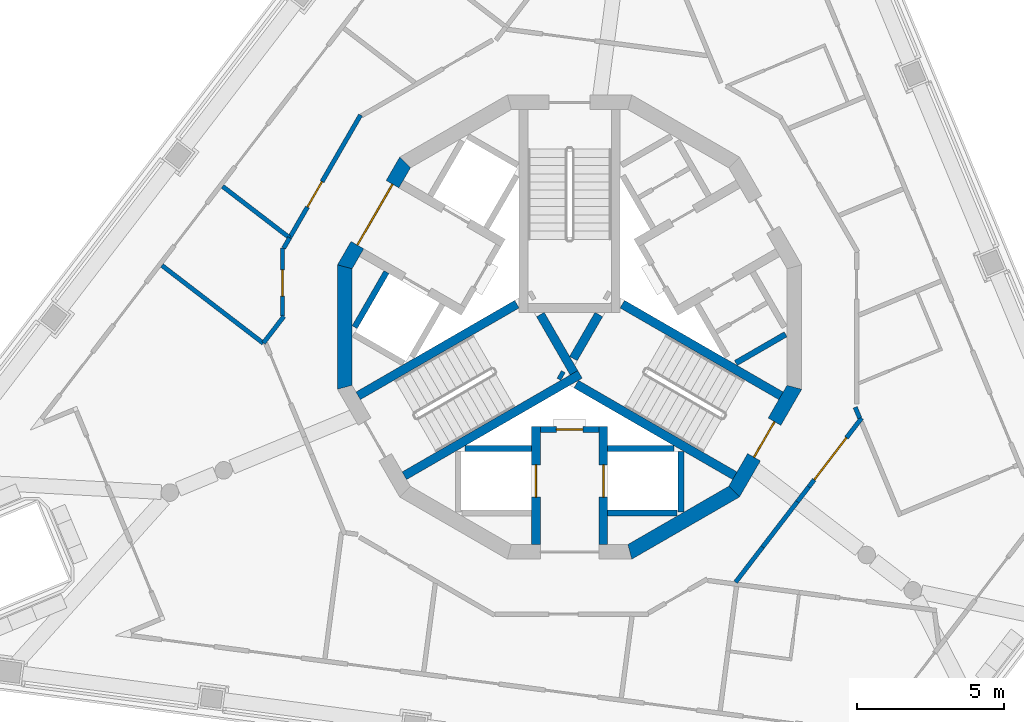
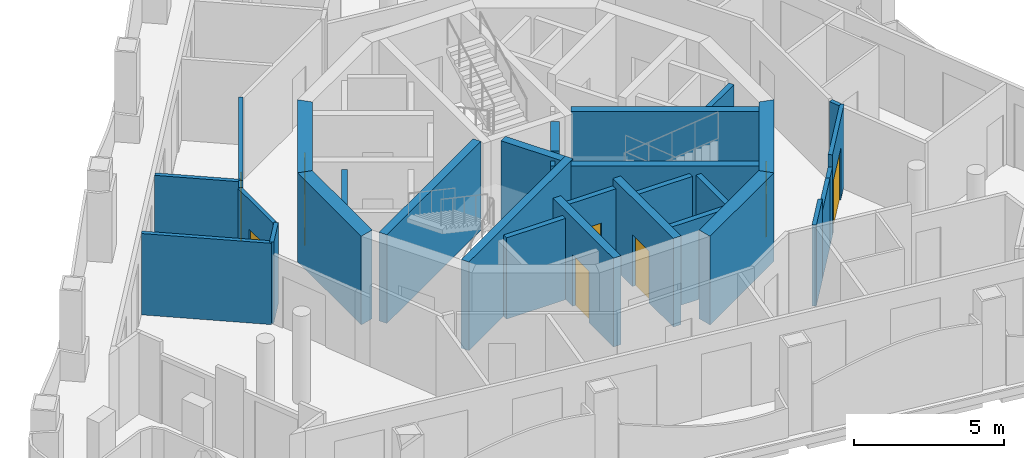
# One storey, part 3 of 13: 31 walls, 8 doors, 8 openings.
"""IFC4 building model written with IfcOpenShell, lengths in metres."""

from ifc_helpers import new_model, si_unit, direction, frame, frame_2d, origin, place, context, subcontext, project, spatial, polyline, rectangle, outline, extrude, material, layer, layer_set, type_object, element, fill, save


model = new_model("IFC4")

# Units and contexts
model_context = context("Model", 3, precision=1e-05, world=origin(), true_north=direction((0.0, 1.0)))
body_context = subcontext(model_context, "Body", "Model", "MODEL_VIEW")
ifc_project = project(units=[si_unit("LENGTHUNIT", "METRE"), si_unit("AREAUNIT", "SQUARE_METRE"), si_unit("VOLUMEUNIT", "CUBIC_METRE"), si_unit("PLANEANGLEUNIT", "RADIAN"), si_unit("MASSUNIT", "GRAM", prefix="KILO")], contexts=[model_context])

# Site, building, storey
site_placement = place(None, origin())
site = spatial("IfcSite", under=ifc_project, at=site_placement, CompositionType="ELEMENT")
building_placement = place(site_placement, origin())
building = spatial("IfcBuilding", under=site, at=building_placement, Name="Trine Commons Tower", CompositionType="ELEMENT")
storey_placement = place(building_placement, frame((0.0, 0.0, 286.199951171875)))
storey = spatial("IfcBuildingStorey", under=building, at=storey_placement, Name="L75", CompositionType="ELEMENT", Elevation=286.199951171875)

# Wall, opening, door
ifc_material_1 = material(Name="Fire-rated gypsum shaft wall system")
ifc_layer_1 = layer(ifc_material_1, 0.199951171875)
ifc_layer_set_1 = layer_set([ifc_layer_1], Name="Fire-rated gypsum shaft wall system")
wall_type_1 = type_object("IfcWallType", Name="Lobby end wall 200 mm, EI 120", PredefinedType="PARTITIONING", material=ifc_layer_set_1)
wall_1_placement = place(storey_placement, frame((79.0, 59.0, 0.0), z_axis=(0.0, 0.0, 1.0), x_axis=(1.0, 0.0, 0.0)))
wall_1 = element("IfcWall", 1, at=wall_1_placement, inside=storey, type_object=wall_type_1, Name="Lobby end wall L75", PredefinedType="PARTITIONING", context=body_context, shape_type="SweptSolid", body=[
    extrude(rectangle(XDim=2.0, YDim=0.199951171875, at=frame_2d((1.0, 0.0))), origin(), (0.0, 0.0, 1.0), 3.300048828125),
])
opening_1_placement = place(wall_1_placement, frame((0.550048828125, 0.0, 0.0)))
opening_1 = element("IfcOpeningElement", 2, at=opening_1_placement, cuts=wall_1, Name="Opening K19.09", PredefinedType="OPENING", context=body_context, shape_type="SweptSolid", body=[
    extrude(rectangle(XDim=0.89990234375, YDim=2.10009765625, at=frame_2d((0.449951171875, 1.050048828125))), frame((0.0, 0.10986328125, 0.0), z_axis=(0.0, -1.0, 0.0), x_axis=(1.0, 0.0, 0.0)), (0.0, 0.0, 1.0), 0.219970703125),
])
ifc_material_2 = material(Name="Steel door leaf, fire-rated", Category="steel")
door_type_1 = type_object("IfcDoorType", Name="Riser access door, single leaf 900 x 2100, FD60", OperationType="SINGLE_SWING_LEFT", PredefinedType="DOOR", material=ifc_material_2)
door_1_placement = place(opening_1_placement, frame((0.89990234375, 0.0, 0.0), z_axis=(0.0, 0.0, 1.0), x_axis=(-1.0, 0.0, 0.0)))
door_1 = element("IfcDoor", 3, at=door_1_placement, inside=storey, type_object=door_type_1, Name="Riser door, Communications riser L75", OperationType="SINGLE_SWING_RIGHT", OverallHeight=2.10009765625, OverallWidth=0.89990234375, PredefinedType="DOOR", context=body_context, shape_type="SweptSolid", body=[
    extrude(rectangle(XDim=0.89990234375, YDim=2.10009765625, at=frame_2d((0.449951171875, 1.050048828125))), frame((0.0, 0.02490234375, 0.0), z_axis=(0.0, -1.0, 0.0), x_axis=(1.0, 0.0, 0.0)), (0.0, 0.0, 1.0), 0.050048828125),
])
fill(opening_1, door_1)

ifc_material_3 = material(Name="Concrete C50/60", Category="concrete")
ifc_layer_2 = layer(ifc_material_3, 0.300048828125)
ifc_layer_set_2 = layer_set([ifc_layer_2], Name="Concrete C50/60")
wall_type_2 = type_object("IfcWallType", Name="RC shear wall 300 mm, C50/60", PredefinedType="SHEAR", material=ifc_layer_set_2)
wall_2_placement = place(storey_placement, frame((78.85009765625, 59.10009765625, 0.0), z_axis=(0.0, 0.0, 1.0), x_axis=(0.0, -1.0, 0.0)))
wall_2 = element("IfcWall", 4, at=wall_2_placement, inside=storey, type_object=wall_type_2, Name="Core cross wall SWD-03 L75", PredefinedType="SHEAR", context=body_context, shape_type="SweptSolid", body=[
    extrude(rectangle(XDim=4.02099609375, YDim=0.300048828125, at=frame_2d((2.010498046875, 0.0))), origin(), (0.0, 0.0, 1.0), 3.60009765625),
])
opening_2_placement = place(wall_2_placement, frame((1.300048828125, 0.0, 0.0)))
opening_2 = element("IfcOpeningElement", 5, at=opening_2_placement, cuts=wall_2, Name="Opening LD10", PredefinedType="OPENING", context=body_context, shape_type="SweptSolid", body=[
    extrude(rectangle(XDim=1.10009765625, YDim=2.10009765625, at=frame_2d((0.550048828125, 1.050048828125))), frame((0.0, 0.159912109375, 0.0), z_axis=(0.0, -1.0, 0.0), x_axis=(1.0, 0.0, 0.0)), (0.0, 0.0, 1.0), 0.320068359375),
])
ifc_material_4 = material(Name="Stainless steel sliding door leaves", Category="steel")
door_type_2 = type_object("IfcDoorType", Name="Lift landing door, centre-opening sliding 1100 x 2100, FD90", OperationType="DOUBLE_DOOR_SLIDING", PredefinedType="DOOR", material=ifc_material_4)
door_2_placement = place(opening_2_placement, origin())
door_2 = element("IfcDoor", 6, at=door_2_placement, inside=storey, type_object=door_type_2, Name="Lift landing door FF2 L75", OperationType="DOUBLE_DOOR_SLIDING", OverallHeight=2.10009765625, OverallWidth=1.10009765625, PredefinedType="DOOR", context=body_context, shape_type="SweptSolid", body=[
    extrude(rectangle(XDim=1.10009765625, YDim=2.10009765625, at=frame_2d((0.550048828125, 1.050048828125))), frame((0.0, 0.02490234375, 0.0), z_axis=(0.0, -1.0, 0.0), x_axis=(1.0, 0.0, 0.0)), (0.0, 0.0, 1.0), 0.050048828125),
])
fill(opening_2, door_2)

wall_3_placement = place(storey_placement, frame((81.14990234375, 59.10009765625, 0.0), z_axis=(0.0, 0.0, 1.0), x_axis=(0.0, -1.0, 0.0)))
wall_3 = element("IfcWall", 7, at=wall_3_placement, inside=storey, type_object=wall_type_2, Name="Core cross wall SWD-04 L75", PredefinedType="SHEAR", context=body_context, shape_type="SweptSolid", body=[
    extrude(rectangle(XDim=4.02099609375, YDim=0.300048828125, at=frame_2d((2.010498046875, 0.0))), origin(), (0.0, 0.0, 1.0), 3.60009765625),
])
opening_3_placement = place(wall_3_placement, frame((1.300048828125, 0.0, 0.0)))
opening_3 = element("IfcOpeningElement", 8, at=opening_3_placement, cuts=wall_3, Name="Opening LD9", PredefinedType="OPENING", context=body_context, shape_type="SweptSolid", body=[
    extrude(rectangle(XDim=1.10009765625, YDim=2.10009765625, at=frame_2d((0.550048828125, 1.050048828125))), frame((0.0, 0.159912109375, 0.0), z_axis=(0.0, -1.0, 0.0), x_axis=(1.0, 0.0, 0.0)), (0.0, 0.0, 1.0), 0.320068359375),
])
door_3_placement = place(opening_3_placement, origin())
door_3 = element("IfcDoor", 9, at=door_3_placement, inside=storey, type_object=door_type_2, Name="Lift landing door FF1 L75", OperationType="DOUBLE_DOOR_SLIDING", OverallHeight=2.10009765625, OverallWidth=1.10009765625, PredefinedType="DOOR", context=body_context, shape_type="SweptSolid", body=[
    extrude(rectangle(XDim=1.10009765625, YDim=2.10009765625, at=frame_2d((0.550048828125, 1.050048828125))), frame((0.0, 0.02490234375, 0.0), z_axis=(0.0, -1.0, 0.0), x_axis=(1.0, 0.0, 0.0)), (0.0, 0.0, 1.0), 0.050048828125),
])
fill(opening_3, door_3)

# Walls
wall_4_placement = place(storey_placement, frame((78.199951171875, 63.280029296875, 0.0), z_axis=(0.0, 0.0, 1.0), x_axis=(-0.866013897511, -0.50001992892, 0.0)))
element("IfcWall", 10, at=wall_4_placement, inside=storey, type_object=wall_type_2, Name="Core cross wall SWD-07 L75", PredefinedType="SHEAR", context=body_context, shape_type="SweptSolid", body=[
    extrude(rectangle(XDim=6.251708984375, YDim=0.300048828125, at=frame_2d((3.1259765625, 0.0))), origin(), (0.0, 0.0, 1.0), 3.60009765625),
])
wall_5_placement = place(storey_placement, frame((79.0029296875, 62.926025390625, 0.0), z_axis=(0.0, 0.0, 1.0), x_axis=(0.499965247104, -0.866045467449, 0.0)))
element("IfcWall", 11, at=wall_5_placement, inside=storey, type_object=wall_type_2, Name="Core cross wall SWD-10 L75", PredefinedType="SHEAR", context=body_context, shape_type="SweptSolid", body=[
    extrude(rectangle(XDim=2.292236328125, YDim=0.300048828125, at=frame_2d((1.14599609375, 0.0))), origin(), (0.0, 0.0, 1.0), 3.60009765625),
])
wall_6_placement = place(storey_placement, frame((79.64599609375, 60.885986328125, 0.0), z_axis=(0.0, 0.0, 1.0), x_axis=(0.867331893649, -0.497730234424, 0.0)))
element("IfcWall", 12, at=wall_6_placement, inside=storey, type_object=wall_type_2, Name="Core cross wall SWD-11 L75", PredefinedType="SHEAR", context=body_context, shape_type="SweptSolid", body=[
    extrude(rectangle(XDim=0.148681640625, YDim=0.300048828125, at=frame_2d((0.07421875, 0.0))), origin(), (0.0, 0.0, 1.0), 3.60009765625),
])
wall_7_placement = place(storey_placement, frame((80.1298828125, 61.424072265625, 0.0), z_axis=(0.0, 0.0, 1.0), x_axis=(0.500014901547, 0.866016800201, 0.0)))
element("IfcWall", 13, at=wall_7_placement, inside=storey, type_object=wall_type_2, Name="Core cross wall SWD-12 L75", PredefinedType="SHEAR", context=body_context, shape_type="SweptSolid", body=[
    extrude(rectangle(XDim=1.734375, YDim=0.300048828125, at=frame_2d((0.8671875, 0.0))), origin(), (0.0, 0.0, 1.0), 3.60009765625),
])
wall_8_placement = place(storey_placement, frame((80.22509765625, 60.552001953125, 0.0), z_axis=(0.0, 0.0, 1.0), x_axis=(0.866004133274, -0.500036839795, 0.0)))
element("IfcWall", 14, at=wall_8_placement, inside=storey, type_object=wall_type_2, Name="Core cross wall SWD-13 L75", PredefinedType="SHEAR", context=body_context, shape_type="SweptSolid", body=[
    extrude(rectangle(XDim=6.25146484375, YDim=0.300048828125, at=frame_2d((3.125732421875, 0.0))), origin(), (0.0, 0.0, 1.0), 3.60009765625),
])
wall_9_placement = place(storey_placement, frame((80.35400390625, 60.885986328125, 0.0), z_axis=(0.0, 0.0, 1.0), x_axis=(-0.86602871973, -0.49999425657, 0.0)))
element("IfcWall", 15, at=wall_9_placement, inside=storey, type_object=wall_type_2, Name="Core cross wall SWD-14 L75", PredefinedType="SHEAR", context=body_context, shape_type="SweptSolid", body=[
    extrude(rectangle(XDim=6.919921875, YDim=0.300048828125, at=frame_2d((3.4599609375, 0.0))), origin(), (0.0, 0.0, 1.0), 3.60009765625),
])
wall_10_placement = place(storey_placement, frame((81.800048828125, 63.280029296875, 0.0), z_axis=(0.0, 0.0, 1.0), x_axis=(0.866013897511, -0.50001992892, 0.0)))
element("IfcWall", 16, at=wall_10_placement, inside=storey, type_object=wall_type_2, Name="Core cross wall SWD-18 L75", PredefinedType="SHEAR", context=body_context, shape_type="SweptSolid", body=[
    extrude(rectangle(XDim=6.251708984375, YDim=0.300048828125, at=frame_2d((3.1259765625, 0.0))), origin(), (0.0, 0.0, 1.0), 3.60009765625),
])

# Wall, opening, door
ifc_layer_3 = layer(ifc_material_3, 0.5)
ifc_layer_set_3 = layer_set([ifc_layer_3], Name="Concrete C50/60")
wall_type_3 = type_object("IfcWallType", Name="RC shear wall 500 mm, C50/60", PredefinedType="SHEAR", material=ifc_layer_set_3)
wall_11_placement = place(storey_placement, frame((74.418212890625, 68.17333984375, 0.0), z_axis=(0.0, 0.0, 1.0), x_axis=(-0.499992968425, -0.866029463428, 0.0)))
wall_11 = element("IfcWall", 17, at=wall_11_placement, inside=storey, type_object=wall_type_3, Name="Core wall CWH-06 L75", PredefinedType="SHEAR", context=body_context, shape_type="SweptSolid", body=[
    extrude(outline(polyline([(0.0, -0.25), (4.24462890625, -0.25), (4.110595703125, 0.25), (0.134033203125, 0.25), (0.0, -0.25)])), origin(), (0.0, 0.0, 1.0), 3.60009765625),
])
opening_4_placement = place(wall_11_placement, frame((0.92236328125, 0.0, 0.0)))
opening_4 = element("IfcOpeningElement", 18, at=opening_4_placement, cuts=wall_11, Name="Opening K19.06", PredefinedType="OPENING", context=body_context, shape_type="SweptSolid", body=[
    extrude(rectangle(XDim=2.39990234375, YDim=2.10009765625, at=frame_2d((1.199951171875, 1.050048828125))), frame((0.0, 0.260009765625, 0.0), z_axis=(0.0, -1.0, 0.0), x_axis=(1.0, 0.0, 0.0)), (0.0, 0.0, 1.0), 0.52001953125),
])
ifc_material_5 = material(Name="Steel door leaves, fire-rated", Category="steel")
door_type_3 = type_object("IfcDoorType", Name="Lobby door, double leaf 2400 x 2100, FD60", OperationType="DOUBLE_DOOR_SINGLE_SWING", PredefinedType="DOOR", material=ifc_material_5)
door_4_placement = place(opening_4_placement, origin())
door_4 = element("IfcDoor", 19, at=door_4_placement, inside=storey, type_object=door_type_3, Name="Lobby door, Passenger lift lobby B L75", OperationType="DOUBLE_DOOR_SINGLE_SWING", OverallHeight=2.10009765625, OverallWidth=2.39990234375, PredefinedType="DOOR", context=body_context, shape_type="SweptSolid", body=[
    extrude(rectangle(XDim=2.39990234375, YDim=2.10009765625, at=frame_2d((1.199951171875, 1.050048828125))), frame((0.0, 0.02490234375, 0.0), z_axis=(0.0, -1.0, 0.0), x_axis=(1.0, 0.0, 0.0)), (0.0, 0.0, 1.0), 0.050048828125),
])
fill(opening_4, door_4)

# Walls
for number, where, z_axis, x_axis, name in (
    (20, (72.329345703125, 64.622314453125, 0.0), (0.0, 0.0, 1.0), (0.0, -1.0, 0.0), "Core wall CWH-07 L75"),
    (21, (81.997314453125, 54.7958984375, 0.0), (0.0, 0.0, 1.0), (0.866029463428, 0.499992968425, 0.0), "Core wall CWH-11 L75"),
):
    element("IfcWall", number, at=place(storey_placement, frame(where, z_axis=z_axis, x_axis=x_axis)), inside=storey, type_object=wall_type_3, Name=name, PredefinedType="SHEAR", context=body_context, shape_type="SweptSolid", body=[
        extrude(outline(polyline([(0.0, -0.25), (4.24462890625, -0.25), (4.110595703125, 0.25), (0.134033203125, 0.25), (0.0, -0.25)])), origin(), (0.0, 0.0, 1.0), 3.60009765625),
    ])

# Wall, opening, door
wall_12_placement = place(storey_placement, frame((85.581787109375, 56.82666015625, 0.0), z_axis=(0.0, 0.0, 1.0), x_axis=(0.499992968425, 0.866029463428, 0.0)))
wall_12 = element("IfcWall", 22, at=wall_12_placement, inside=storey, type_object=wall_type_3, Name="Core wall CWH-12 L75", PredefinedType="SHEAR", context=body_context, shape_type="SweptSolid", body=[
    extrude(outline(polyline([(0.0, -0.25), (4.24462890625, -0.25), (4.110595703125, 0.25), (0.134033203125, 0.25), (0.0, -0.25)])), origin(), (0.0, 0.0, 1.0), 3.60009765625),
])
opening_5_placement = place(wall_12_placement, frame((1.42236328125, 0.0, 0.0)))
opening_5 = element("IfcOpeningElement", 23, at=opening_5_placement, cuts=wall_12, Name="Opening K19.03", PredefinedType="OPENING", context=body_context, shape_type="SweptSolid", body=[
    extrude(rectangle(XDim=1.39990234375, YDim=2.10009765625, at=frame_2d((0.699951171875, 1.050048828125))), frame((0.0, 0.260009765625, 0.0), z_axis=(0.0, -1.0, 0.0), x_axis=(1.0, 0.0, 0.0)), (0.0, 0.0, 1.0), 0.52001953125),
])
door_type_4 = type_object("IfcDoorType", Name="Stair door, double leaf 1400 x 2100, FD90", OperationType="DOUBLE_DOOR_SINGLE_SWING", PredefinedType="DOOR", material=ifc_material_5)
door_5_placement = place(opening_5_placement, origin())
door_5 = element("IfcDoor", 24, at=door_5_placement, inside=storey, type_object=door_type_4, Name="Stair door to Exit stair ST3D L75", OperationType="DOUBLE_DOOR_SINGLE_SWING", OverallHeight=2.10009765625, OverallWidth=1.39990234375, PredefinedType="DOOR", context=body_context, shape_type="SweptSolid", body=[
    extrude(rectangle(XDim=1.39990234375, YDim=2.10009765625, at=frame_2d((0.699951171875, 1.050048828125))), frame((0.0, 0.02490234375, 0.0), z_axis=(0.0, -1.0, 0.0), x_axis=(1.0, 0.0, 0.0)), (0.0, 0.0, 1.0), 0.050048828125),
])
fill(opening_5, door_5)

# Walls
ifc_layer_4 = layer(ifc_material_1, 0.199951171875)
ifc_layer_set_4 = layer_set([ifc_layer_4], Name="Fire-rated gypsum shaft wall system")
wall_type_4 = type_object("IfcWallType", Name="Shaft wall 200 mm, EI 120", PredefinedType="PARTITIONING", material=ifc_layer_set_4)
wall_13_placement = place(storey_placement, frame((73.7509765625, 64.3759765625, 0.0), z_axis=(0.0, 0.0, 1.0), x_axis=(-0.499865263774, -0.866103179807, 0.0)))
element("IfcWall", 25, at=wall_13_placement, inside=storey, type_object=wall_type_4, Name="Shaft wall L75", PredefinedType="PARTITIONING", context=body_context, shape_type="SweptSolid", body=[
    extrude(rectangle(XDim=2.17041015625, YDim=0.199951171875, at=frame_2d((1.085205078125, 0.0))), origin(), (0.0, 0.0, 1.0), 3.300048828125),
])
wall_14_placement = place(storey_placement, frame((78.699951171875, 58.35009765625, 0.0), z_axis=(0.0, 0.0, 1.0), x_axis=(-1.0, 0.0, 0.0)))
element("IfcWall", 26, at=wall_14_placement, inside=storey, type_object=wall_type_4, Name="Shaft wall L75", PredefinedType="PARTITIONING", context=body_context, shape_type="SweptSolid", body=[
    extrude(rectangle(XDim=2.264892578125, YDim=0.199951171875, at=frame_2d((1.13232421875, 0.0))), origin(), (0.0, 0.0, 1.0), 3.300048828125),
])
wall_15_placement = place(storey_placement, frame((81.300048828125, 56.14990234375, 0.0), z_axis=(0.0, 0.0, 1.0), x_axis=(1.0, 0.0, 0.0)))
element("IfcWall", 27, at=wall_15_placement, inside=storey, type_object=wall_type_4, Name="Shaft wall L75", PredefinedType="PARTITIONING", context=body_context, shape_type="SweptSolid", body=[
    extrude(rectangle(XDim=2.368896484375, YDim=0.199951171875, at=frame_2d((1.1845703125, 0.0))), origin(), (0.0, 0.0, 1.0), 3.300048828125),
])
wall_16_placement = place(storey_placement, frame((81.300048828125, 58.35009765625, 0.0), z_axis=(0.0, 0.0, 1.0), x_axis=(1.0, 0.0, 0.0)))
element("IfcWall", 28, at=wall_16_placement, inside=storey, type_object=wall_type_4, Name="Shaft wall L75", PredefinedType="PARTITIONING", context=body_context, shape_type="SweptSolid", body=[
    extrude(rectangle(XDim=2.264892578125, YDim=0.199951171875, at=frame_2d((1.13232421875, 0.0))), origin(), (0.0, 0.0, 1.0), 3.300048828125),
])
wall_17_placement = place(storey_placement, frame((83.800048828125, 58.257080078125, 0.0), z_axis=(0.0, 0.0, 1.0), x_axis=(0.0, -1.0, 0.0)))
element("IfcWall", 29, at=wall_17_placement, inside=storey, type_object=wall_type_4, Name="Shaft wall L75", PredefinedType="PARTITIONING", context=body_context, shape_type="SweptSolid", body=[
    extrude(rectangle(XDim=2.073974609375, YDim=0.199951171875, at=frame_2d((1.037109375, 0.0))), origin(), (0.0, 0.0, 1.0), 3.300048828125),
])
wall_18_placement = place(storey_placement, frame((85.675048828125, 61.27294921875, 0.0), z_axis=(0.0, 0.0, 1.0), x_axis=(0.86585547495, 0.500294209939, 0.0)))
element("IfcWall", 30, at=wall_18_placement, inside=storey, type_object=wall_type_4, Name="Shaft wall L75", PredefinedType="PARTITIONING", context=body_context, shape_type="SweptSolid", body=[
    extrude(rectangle(XDim=1.958740234375, YDim=0.199951171875, at=frame_2d((0.9794921875, 0.0))), origin(), (0.0, 0.0, 1.0), 3.300048828125),
])
ifc_material_6 = material(Name="Gypsum plasterboard on steel stud", Category="steel")
ifc_layer_5 = layer(ifc_material_6, 0.14990234375)
ifc_layer_set_5 = layer_set([ifc_layer_5], Name="Gypsum plasterboard on steel stud")
wall_type_5 = type_object("IfcWallType", Name="Unit and corridor wall 150 mm, EI 60", PredefinedType="PARTITIONING", material=ifc_layer_set_5)
wall_19_placement = place(storey_placement, frame((66.087646484375, 64.6025390625, 0.0), z_axis=(0.0, 0.0, 1.0), x_axis=(0.793353973565, -0.60876060371, 0.0)))
element("IfcWall", 31, at=wall_19_placement, inside=storey, type_object=wall_type_5, Name="Partition 001", PredefinedType="PARTITIONING", context=body_context, shape_type="SweptSolid", body=[
    extrude(rectangle(XDim=4.360595703125, YDim=0.14990234375, at=frame_2d((2.18017578125, 0.0))), origin(), (0.0, 0.0, 1.0), 3.300048828125),
])
wall_20_placement = place(storey_placement, frame((68.15771484375, 67.300537109375, 0.0), z_axis=(0.0, 0.0, 1.0), x_axis=(0.793362540986, -0.608749438242, 0.0)))
element("IfcWall", 32, at=wall_20_placement, inside=storey, type_object=wall_type_5, Name="Partition 002", PredefinedType="PARTITIONING", context=body_context, shape_type="SweptSolid", body=[
    extrude(rectangle(XDim=2.885498046875, YDim=0.14990234375, at=frame_2d((1.44287109375, 0.0))), origin(), (0.0, 0.0, 1.0), 3.300048828125),
])
wall_21_placement = place(storey_placement, frame((69.552490234375, 61.95556640625, 0.0), z_axis=(0.0, 0.0, 1.0), x_axis=(0.608525507611, 0.793534313427, 0.0)))
element("IfcWall", 33, at=wall_21_placement, inside=storey, type_object=wall_type_5, Name="Partition 003", PredefinedType="PARTITIONING", context=body_context, shape_type="SweptSolid", body=[
    extrude(rectangle(XDim=1.1455078125, YDim=0.14990234375, at=frame_2d((0.57275390625, 0.0))), origin(), (0.0, 0.0, 1.0), 3.300048828125),
])

# Wall, opening, door
wall_22_placement = place(storey_placement, frame((70.2041015625, 62.8798828125, 0.0), z_axis=(0.0, 0.0, 1.0), x_axis=(0.0, 1.0, 0.0)))
wall_22 = element("IfcWall", 34, at=wall_22_placement, inside=storey, type_object=wall_type_5, Name="Partition 005", PredefinedType="PARTITIONING", context=body_context, shape_type="SweptSolid", body=[
    extrude(rectangle(XDim=2.320068359375, YDim=0.14990234375, at=frame_2d((1.16015625, 0.0))), origin(), (0.0, 0.0, 1.0), 3.300048828125),
])
opening_6_placement = place(wall_22_placement, frame((0.672607421875, 0.0, 0.0)))
opening_6 = element("IfcOpeningElement", 35, at=opening_6_placement, cuts=wall_22, Name="Opening D-8B04", PredefinedType="OPENING", context=body_context, shape_type="SweptSolid", body=[
    extrude(rectangle(XDim=0.89990234375, YDim=2.10009765625, at=frame_2d((0.449951171875, 1.050048828125))), frame((0.0, 0.0849609375, 0.0), z_axis=(0.0, -1.0, 0.0), x_axis=(1.0, 0.0, 0.0)), (0.0, 0.0, 1.0), 0.169921875),
])
ifc_material_7 = material(Name="Timber fire door set", Category="wood")
door_type_5 = type_object("IfcDoorType", Name="Service door 900 x 2100, FD30S", OperationType="NOTDEFINED", PredefinedType="DOOR", material=ifc_material_7)
door_6_placement = place(opening_6_placement, origin())
door_6 = element("IfcDoor", 36, at=door_6_placement, inside=storey, type_object=door_type_5, Name="Door D-8B04", OperationType="SINGLE_SWING_LEFT", OverallHeight=2.10009765625, OverallWidth=0.89990234375, PredefinedType="DOOR", context=body_context, shape_type="SweptSolid", body=[
    extrude(rectangle(XDim=0.89990234375, YDim=2.10009765625, at=frame_2d((0.449951171875, 1.050048828125))), frame((0.0, 0.02490234375, 0.0), z_axis=(0.0, -1.0, 0.0), x_axis=(1.0, 0.0, 0.0)), (0.0, 0.0, 1.0), 0.050048828125),
])
fill(opening_6, door_6)

# Wall
wall_23_placement = place(storey_placement, frame((70.241455078125, 65.18994140625, 0.0), z_axis=(0.0, 0.0, 1.0), x_axis=(0.499569084189, 0.866274050242, 0.0)))
element("IfcWall", 37, at=wall_23_placement, inside=storey, type_object=wall_type_5, Name="Partition 006", PredefinedType="PARTITIONING", context=body_context, shape_type="SweptSolid", body=[
    extrude(rectangle(XDim=0.413330078125, YDim=0.14990234375, at=frame_2d((0.20654296875, 0.0))), origin(), (0.0, 0.0, 1.0), 3.300048828125),
])

# Wall, opening, door
wall_24_placement = place(storey_placement, frame((70.444091796875, 65.541015625, 0.0), z_axis=(0.0, 0.0, 1.0), x_axis=(0.500074377092, 0.865982457891, 0.0)))
wall_24 = element("IfcWall", 38, at=wall_24_placement, inside=storey, type_object=wall_type_5, Name="Partition 007", PredefinedType="PARTITIONING", context=body_context, shape_type="SweptSolid", body=[
    extrude(rectangle(XDim=4.843994140625, YDim=0.14990234375, at=frame_2d((2.421875, 0.0))), origin(), (0.0, 0.0, 1.0), 3.300048828125),
])
opening_7_placement = place(wall_24_placement, frame((1.21923828125, 0.0, 0.0)))
opening_7 = element("IfcOpeningElement", 39, at=opening_7_placement, cuts=wall_24, Name="Opening D-8B05", PredefinedType="OPENING", context=body_context, shape_type="SweptSolid", body=[
    extrude(rectangle(XDim=1.0, YDim=2.10009765625, at=frame_2d((0.5, 1.050048828125))), frame((0.0, 0.0849609375, 0.0), z_axis=(0.0, -1.0, 0.0), x_axis=(1.0, 0.0, 0.0)), (0.0, 0.0, 1.0), 0.169921875),
])
ifc_material_8 = material(Name="Painted timber", Category="wood")
door_type_6 = type_object("IfcDoorType", Name="Amenity room door 1000 x 2100, NOT RATED", OperationType="NOTDEFINED", PredefinedType="DOOR", material=ifc_material_8)
door_7_placement = place(opening_7_placement, origin())
door_7 = element("IfcDoor", 40, at=door_7_placement, inside=storey, type_object=door_type_6, Name="Door D-8B05", OperationType="SINGLE_SWING_LEFT", OverallHeight=2.10009765625, OverallWidth=1.0, PredefinedType="DOOR", context=body_context, shape_type="SweptSolid", body=[
    extrude(rectangle(XDim=1.0, YDim=2.10009765625, at=frame_2d((0.5, 1.050048828125))), frame((0.0, 0.02490234375, 0.0), z_axis=(0.0, -1.0, 0.0), x_axis=(1.0, 0.0, 0.0)), (0.0, 0.0, 1.0), 0.050048828125),
])
fill(opening_7, door_7)

# Walls
wall_25_placement = place(storey_placement, frame((85.66650390625, 53.79345703125, 0.0), z_axis=(0.0, 0.0, 1.0), x_axis=(0.608584360589, 0.79348917828, 0.0)))
element("IfcWall", 41, at=wall_25_placement, inside=storey, type_object=wall_type_5, Name="Partition 034", PredefinedType="PARTITIONING", context=body_context, shape_type="SweptSolid", body=[
    extrude(rectangle(XDim=1.50927734375, YDim=0.14990234375, at=frame_2d((0.754638671875, 0.0))), origin(), (0.0, 0.0, 1.0), 3.300048828125),
])
wall_26_placement = place(storey_placement, frame((86.5849609375, 54.990966796875, 0.0), z_axis=(0.0, 0.0, 1.0), x_axis=(0.608644571119, 0.793442994832, 0.0)))
element("IfcWall", 42, at=wall_26_placement, inside=storey, type_object=wall_type_5, Name="Partition 035", PredefinedType="PARTITIONING", context=body_context, shape_type="SweptSolid", body=[
    extrude(rectangle(XDim=1.94873046875, YDim=0.14990234375, at=frame_2d((0.974365234375, 0.0))), origin(), (0.0, 0.0, 1.0), 2.800048828125),
])
wall_27_placement = place(storey_placement, frame((87.77099609375, 56.537109375, 0.0), z_axis=(0.0, 0.0, 1.0), x_axis=(0.60945333551, 0.792821942075, 0.0)))
element("IfcWall", 43, at=wall_27_placement, inside=storey, type_object=wall_type_5, Name="Partition 039", PredefinedType="PARTITIONING", context=body_context, shape_type="SweptSolid", body=[
    extrude(rectangle(XDim=0.641845703125, YDim=0.14990234375, at=frame_2d((0.32080078125, 0.0))), origin(), (0.0, 0.0, 1.0), 2.800048828125),
])

# Wall, opening, door
wall_28_placement = place(storey_placement, frame((88.1630859375, 57.047119140625, 0.0), z_axis=(0.0, 0.0, 1.0), x_axis=(0.608858566232, 0.793278794829, 0.0)))
wall_28 = element("IfcWall", 44, at=wall_28_placement, inside=storey, type_object=wall_type_5, Name="Partition 041", PredefinedType="PARTITIONING", context=body_context, shape_type="SweptSolid", body=[
    extrude(rectangle(XDim=2.964111328125, YDim=0.14990234375, at=frame_2d((1.48193359375, 0.0))), origin(), (0.0, 0.0, 1.0), 3.300048828125),
])
opening_8_placement = place(wall_28_placement, frame((0.307861328125, 0.0, 0.0)))
opening_8 = element("IfcOpeningElement", 45, at=opening_8_placement, cuts=wall_28, Name="Opening D-8B02", PredefinedType="OPENING", context=body_context, shape_type="SweptSolid", body=[
    extrude(rectangle(XDim=1.800048828125, YDim=2.10009765625, at=frame_2d((0.89990234375, 1.050048828125))), frame((0.0, 0.0849609375, 0.0), z_axis=(0.0, -1.0, 0.0), x_axis=(1.0, 0.0, 0.0)), (0.0, 0.0, 1.0), 0.169921875),
])
door_type_7 = type_object("IfcDoorType", Name="Cluster entrance door 1800 x 2100, double leaf, FD30S", OperationType="DOUBLE_DOOR_DOUBLE_SWING", PredefinedType="DOOR", material=ifc_material_7)
door_8_placement = place(opening_8_placement, frame((1.800048828125, 0.0, 0.0), z_axis=(0.0, 0.0, 1.0), x_axis=(-1.0, 0.0, 0.0)))
door_8 = element("IfcDoor", 46, at=door_8_placement, inside=storey, type_object=door_type_7, Name="Door D-8B02", OperationType="DOUBLE_DOOR_DOUBLE_SWING", OverallHeight=2.10009765625, OverallWidth=1.800048828125, PredefinedType="DOOR", context=body_context, shape_type="SweptSolid", body=[
    extrude(rectangle(XDim=1.800048828125, YDim=2.10009765625, at=frame_2d((0.89990234375, 1.050048828125))), frame((0.0, 0.02490234375, 0.0), z_axis=(0.0, -1.0, 0.0), x_axis=(1.0, 0.0, 0.0)), (0.0, 0.0, 1.0), 0.050048828125),
])
fill(opening_8, door_8)

# Wall
wall_29_placement = place(storey_placement, frame((89.747802734375, 59.760498046875, 0.0), z_axis=(0.0, 0.0, 1.0), x_axis=(0.382100188932, -0.924120904221, 0.0)))
element("IfcWall", 47, at=wall_29_placement, inside=storey, type_object=wall_type_5, Name="Partition 045", PredefinedType="PARTITIONING", context=body_context, shape_type="SweptSolid", body=[
    extrude(rectangle(XDim=0.39990234375, YDim=0.14990234375, at=frame_2d((0.199951171875, 0.0))), origin(), (0.0, 0.0, 1.0), 3.300048828125),
])

save(model, "model.ifc")
